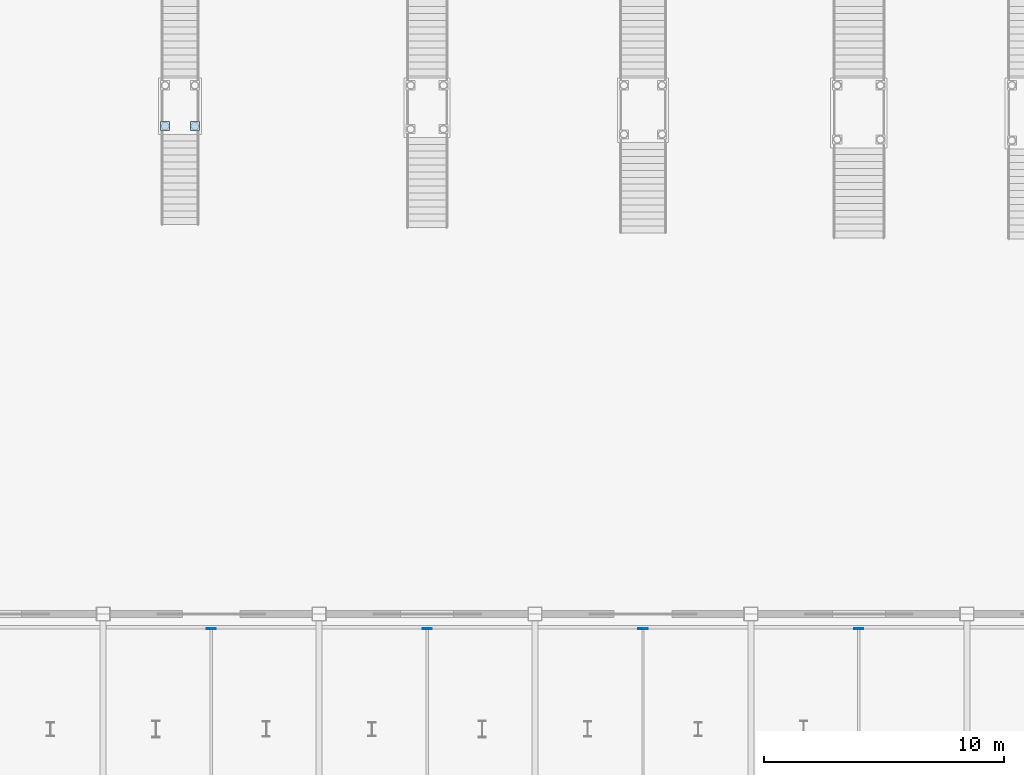
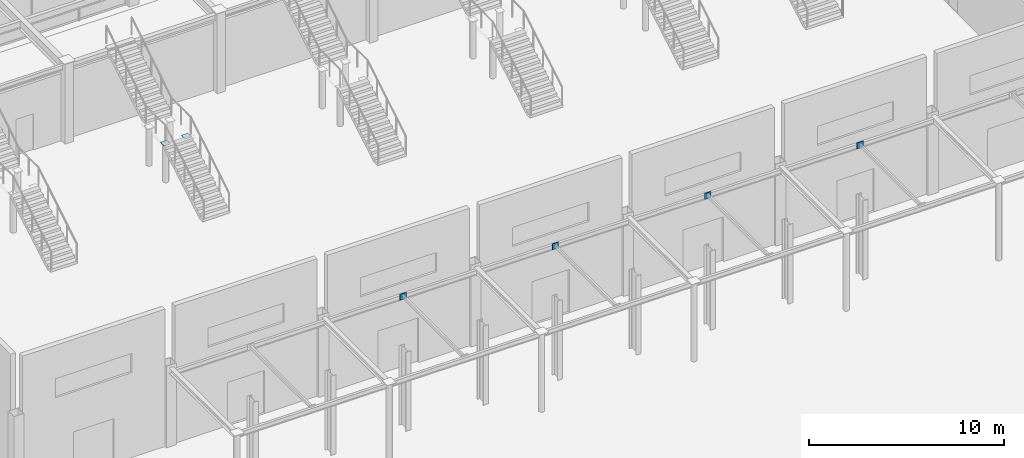
# One storey, part 77 of 123: 6 plates.
"""IFC4 building model written with IfcOpenShell, lengths in metres."""

from ifc_helpers import new_model, si_unit, direction, frame, origin, origin_2d, place, context, subcontext, project, spatial, rectangle, extrude, material, layer, layer_set, type_object, element, save


model = new_model("IFC4")

# Units and contexts
model_context = context("Model", 3, precision=1e-05, world=origin(), true_north=direction((0.0, 1.0)))
body_context = subcontext(model_context, "Body", "Model", "MODEL_VIEW")
ifc_project = project(units=[si_unit("LENGTHUNIT", "METRE"), si_unit("AREAUNIT", "SQUARE_METRE"), si_unit("VOLUMEUNIT", "CUBIC_METRE"), si_unit("PLANEANGLEUNIT", "RADIAN"), si_unit("MASSUNIT", "GRAM", prefix="KILO")], contexts=[model_context])

# Site, building, storey
site_placement = place(None, origin())
site = spatial("IfcSite", under=ifc_project, at=site_placement, CompositionType="ELEMENT")
building_placement = place(site_placement, origin())
building = spatial("IfcBuilding", under=site, at=building_placement, Name="Suzunagisa Mobility Hub", CompositionType="ELEMENT")
storey_placement = place(building_placement, origin())
storey = spatial("IfcBuildingStorey", under=building, at=storey_placement, Name="L00", CompositionType="ELEMENT", Elevation=0.0)

# Plates
ifc_material = material(Name="Steel SN490B", Category="steel")
ifc_layer_1 = layer(ifc_material, 0.02392578125)
ifc_layer_set_1 = layer_set([ifc_layer_1], Name="Steel SN490B")
plate_type_1 = type_object("IfcPlateType", Name="Structural Steel Plate SP-03 380x380x24", PredefinedType="USERDEFINED", material=ifc_layer_set_1)
for number, where, z_axis, x_axis, name in (
    (1, (65.580078125, 56.340087890625, 2.35009765625), (0.0, 0.0, 1.0), (1.0, 0.0, 0.0), "Concourse Stair Post Cap CSC-02-1"),
    (2, (66.820068359375, 56.340087890625, 2.35009765625), (0.0, 0.0, 1.0), (1.0, 0.0, 0.0), "Concourse Stair Post Cap CSC-02-2"),
):
    element("IfcPlate", number, at=place(storey_placement, frame(where, z_axis=z_axis, x_axis=x_axis)), inside=storey, type_object=plate_type_1, Name=name, ObjectType="BASE PLATE", PredefinedType="USERDEFINED", context=body_context, shape_type="SweptSolid", body=[
        extrude(rectangle(XDim=0.3798828125, YDim=0.3798828125, at=origin_2d()), origin(), (0.0, 0.0, 1.0), 0.02392578125),
    ])
ifc_layer_2 = layer(ifc_material, 0.028076171875)
ifc_layer_set_2 = layer_set([ifc_layer_2], Name="Steel SN490B")
plate_type_2 = type_object("IfcPlateType", Name="Structural Steel Plate SP-07 380x380x28", PredefinedType="USERDEFINED", material=ifc_layer_set_2)
for number, where, z_axis, x_axis, name in (
    (3, (67.5, 35.384033203125, 4.650146484375), (0.0, 0.0, 1.0), (1.0, 0.0, 0.0), "Canopy Frame End Gusset Plate CPG-2N"),
    (4, (76.5, 35.384033203125, 4.650146484375), (0.0, 0.0, 1.0), (1.0, 0.0, 0.0), "Canopy Frame End Gusset Plate CPG-3N"),
    (5, (85.5, 35.384033203125, 4.650146484375), (0.0, 0.0, 1.0), (1.0, 0.0, 0.0), "Canopy Frame End Gusset Plate CPG-4N"),
    (6, (94.5, 35.384033203125, 4.650146484375), (0.0, 0.0, 1.0), (1.0, 0.0, 0.0), "Canopy Frame End Gusset Plate CPG-5N"),
):
    element("IfcPlate", number, at=place(storey_placement, frame(where, z_axis=z_axis, x_axis=x_axis)), inside=storey, type_object=plate_type_2, Name=name, ObjectType="GUSSET PLATE", PredefinedType="USERDEFINED", context=body_context, shape_type="SweptSolid", body=[
        extrude(rectangle(XDim=0.3798828125, YDim=0.028076171875, at=origin_2d()), origin(), (0.0, 0.0, 1.0), 0.3798828125),
    ])

save(model, "model.ifc")
